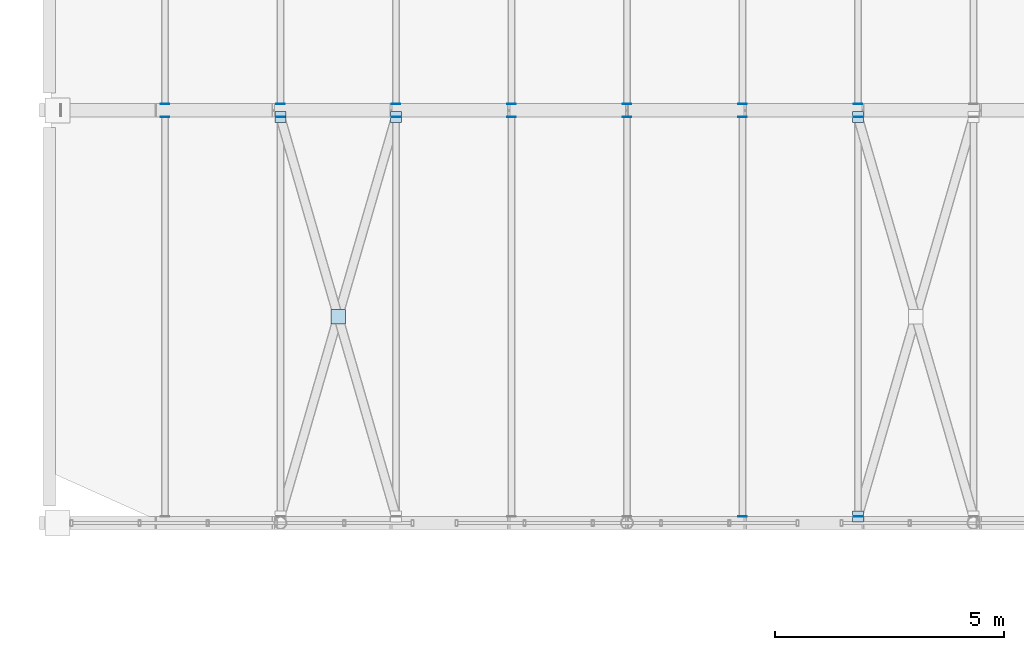
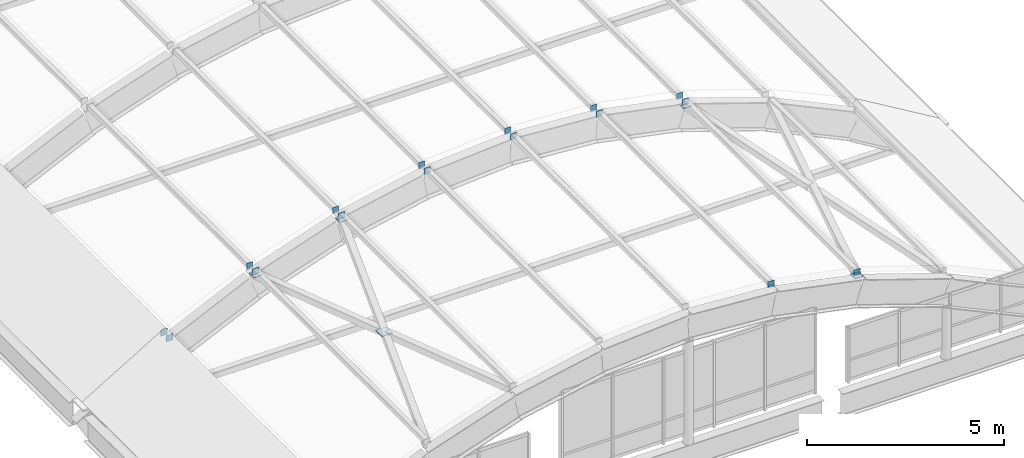
# One storey, part 84 of 107: 21 plates.
"""IFC4 building model written with IfcOpenShell, lengths in metres."""

from ifc_helpers import new_model, si_unit, direction, frame, origin, origin_2d, place, context, subcontext, project, spatial, rectangle, extrude, material, layer, layer_set, type_object, element, save


model = new_model("IFC4")

# Units and contexts
model_context = context("Model", 3, precision=1e-05, world=origin(), true_north=direction((0.0, 1.0)))
body_context = subcontext(model_context, "Body", "Model", "MODEL_VIEW")
ifc_project = project(units=[si_unit("LENGTHUNIT", "METRE"), si_unit("AREAUNIT", "SQUARE_METRE"), si_unit("VOLUMEUNIT", "CUBIC_METRE"), si_unit("PLANEANGLEUNIT", "RADIAN"), si_unit("MASSUNIT", "GRAM", prefix="KILO")], contexts=[model_context])

# Site, building, storey
site_placement = place(None, origin())
site = spatial("IfcSite", under=ifc_project, at=site_placement, CompositionType="ELEMENT")
building_placement = place(site_placement, origin())
building = spatial("IfcBuilding", under=site, at=building_placement, Name="Vireocrest Preparatory School", CompositionType="ELEMENT")
storey_placement = place(building_placement, frame((0.0, 0.0, 13.199951171875)))
storey = spatial("IfcBuildingStorey", under=building, at=storey_placement, Name="L03", CompositionType="ELEMENT", Elevation=13.199951171875)

# Plates
ifc_material = material(Name="Structural steel ASTM A572 Grade 50", Category="steel")
ifc_layer_1 = layer(ifc_material, 0.013916015625)
ifc_layer_set_1 = layer_set([ifc_layer_1], Name="Structural steel ASTM A572 Grade 50")
plate_type_1 = type_object("IfcPlateType", Name="Assembly Vault Purlin Steel End Cap Plate 14", PredefinedType="SHEET", material=ifc_layer_set_1)
for number, where, z_axis, x_axis, name in (
    (1, (145.320068359375, 26.85888671875, 1.0810546875), (0.0, 0.0, 1.0), (1.0, 0.0, 0.0), "Purlin End Cap CP3 VAULT_ASSEMBLY B1-N-2"),
    (2, (147.840087890625, 26.85888671875, 2.26171875), (0.0, 0.0, 1.0), (1.0, 0.0, 0.0), "Purlin End Cap CP3 VAULT_ASSEMBLY B1-N-3"),
    (3, (150.360107421875, 26.85888671875, 3.107666015625), (0.0, 0.0, 1.0), (1.0, 0.0, 0.0), "Purlin End Cap CP3 VAULT_ASSEMBLY B1-N-4"),
    (4, (152.8798828125, 26.85888671875, 3.619384765625), (0.0, 0.0, 1.0), (1.0, 0.0, 0.0), "Purlin End Cap CP3 VAULT_ASSEMBLY B1-N-5"),
    (5, (155.39990234375, 26.85888671875, 3.796875), (0.0, 0.0, 1.0), (1.0, 0.0, 0.0), "Purlin End Cap CP3 VAULT_ASSEMBLY B1-N-6"),
    (6, (157.919921875, 18.14111328125, 3.619384765625), (0.0, 0.0, 1.0), (1.0, 0.0, 0.0), "Purlin End Cap CP3 VAULT_ASSEMBLY B1-S-7"),
    (7, (157.919921875, 26.85888671875, 3.619384765625), (0.0, 0.0, 1.0), (1.0, 0.0, 0.0), "Purlin End Cap CP3 VAULT_ASSEMBLY B1-N-7"),
    (8, (160.43994140625, 18.14111328125, 3.107666015625), (0.0, 0.0, 1.0), (1.0, 0.0, 0.0), "Purlin End Cap CP3 VAULT_ASSEMBLY B1-S-8"),
    (9, (160.43994140625, 26.85888671875, 3.107666015625), (0.0, 0.0, 1.0), (1.0, 0.0, 0.0), "Purlin End Cap CP3 VAULT_ASSEMBLY B1-N-8"),
    (10, (145.320068359375, 27.14111328125, 1.0810546875), (0.0, 0.0, 1.0), (1.0, 0.0, 0.0), "Purlin End Cap CP3 VAULT_ASSEMBLY B2-S-2"),
    (11, (147.840087890625, 27.14111328125, 2.26171875), (0.0, 0.0, 1.0), (1.0, 0.0, 0.0), "Purlin End Cap CP3 VAULT_ASSEMBLY B2-S-3"),
    (12, (150.360107421875, 27.14111328125, 3.107666015625), (0.0, 0.0, 1.0), (1.0, 0.0, 0.0), "Purlin End Cap CP3 VAULT_ASSEMBLY B2-S-4"),
    (13, (152.8798828125, 27.14111328125, 3.619384765625), (0.0, 0.0, 1.0), (1.0, 0.0, 0.0), "Purlin End Cap CP3 VAULT_ASSEMBLY B2-S-5"),
    (14, (155.39990234375, 27.14111328125, 3.796875), (0.0, 0.0, 1.0), (1.0, 0.0, 0.0), "Purlin End Cap CP3 VAULT_ASSEMBLY B2-S-6"),
    (15, (157.919921875, 27.14111328125, 3.619384765625), (0.0, 0.0, 1.0), (1.0, 0.0, 0.0), "Purlin End Cap CP3 VAULT_ASSEMBLY B2-S-7"),
    (16, (160.43994140625, 27.14111328125, 3.107666015625), (0.0, 0.0, 1.0), (1.0, 0.0, 0.0), "Purlin End Cap CP3 VAULT_ASSEMBLY B2-S-8"),
):
    element("IfcPlate", number, at=place(storey_placement, frame(where, z_axis=z_axis, x_axis=x_axis)), inside=storey, type_object=plate_type_1, Name=name, PredefinedType="SHEET", context=body_context, shape_type="SweptSolid", body=[
        extrude(rectangle(XDim=0.18798828125, YDim=0.013916015625, at=origin_2d()), origin(), (0.0, 0.0, 1.0), 0.18798828125),
    ])
ifc_layer_2 = layer(ifc_material, 0.02001953125)
ifc_layer_set_2 = layer_set([ifc_layer_2], Name="Structural steel ASTM A572 Grade 50")
plate_type_2 = type_object("IfcPlateType", Name="Hollow Section Steel End Cap Plate 20", PredefinedType="SHEET", material=ifc_layer_set_2)
plate_1_placement = place(storey_placement, frame((150.360107421875, 26.85400390625, 3.087158203125), z_axis=(0.0, 0.0, 1.0), x_axis=(1.0, 0.0, 0.0)))
element("IfcPlate", 17, at=plate_1_placement, inside=storey, type_object=plate_type_2, Name="Brace Cap Plate CP1 VAULT_ASSEMBLY-1-3B", PredefinedType="SHEET", context=body_context, shape_type="SweptSolid", body=[
    extrude(rectangle(XDim=0.239990234375, YDim=0.239990234375, at=origin_2d()), origin(), (0.0, 0.0, 1.0), 0.02001953125),
])
plate_2_placement = place(storey_placement, frame((149.10009765625, 22.5, 2.6689453125), z_axis=(0.0, 0.0, 1.0), x_axis=(1.0, 0.0, 0.0)))
element("IfcPlate", 18, at=plate_2_placement, inside=storey, type_object=plate_type_2, Name="X-Brace Crossing Gusset CP1 VAULT_ASSEMBLY-1-3", PredefinedType="SHEET", context=body_context, shape_type="SweptSolid", body=[
    extrude(rectangle(XDim=0.320068359375, YDim=0.320068359375, at=origin_2d()), origin(), (0.0, 0.0, 1.0), 0.02001953125),
])
for number, where, z_axis, x_axis, name in (
    (19, (147.840087890625, 26.85400390625, 2.2509765625), (0.0, 0.0, 1.0), (1.0, 0.0, 0.0), "Brace Cap Plate CP1 VAULT_ASSEMBLY-1-3C"),
    (20, (160.43994140625, 18.14599609375, 3.087158203125), (0.0, 0.0, 1.0), (1.0, 0.0, 0.0), "Brace Cap Plate CP1 VAULT_ASSEMBLY-1-8A"),
    (21, (160.43994140625, 26.85400390625, 3.087158203125), (0.0, 0.0, 1.0), (1.0, 0.0, 0.0), "Brace Cap Plate CP1 VAULT_ASSEMBLY-1-8C"),
):
    element("IfcPlate", number, at=place(storey_placement, frame(where, z_axis=z_axis, x_axis=x_axis)), inside=storey, type_object=plate_type_2, Name=name, PredefinedType="SHEET", context=body_context, shape_type="SweptSolid", body=[
        extrude(rectangle(XDim=0.239990234375, YDim=0.239990234375, at=origin_2d()), origin(), (0.0, 0.0, 1.0), 0.02001953125),
    ])

save(model, "model.ifc")
